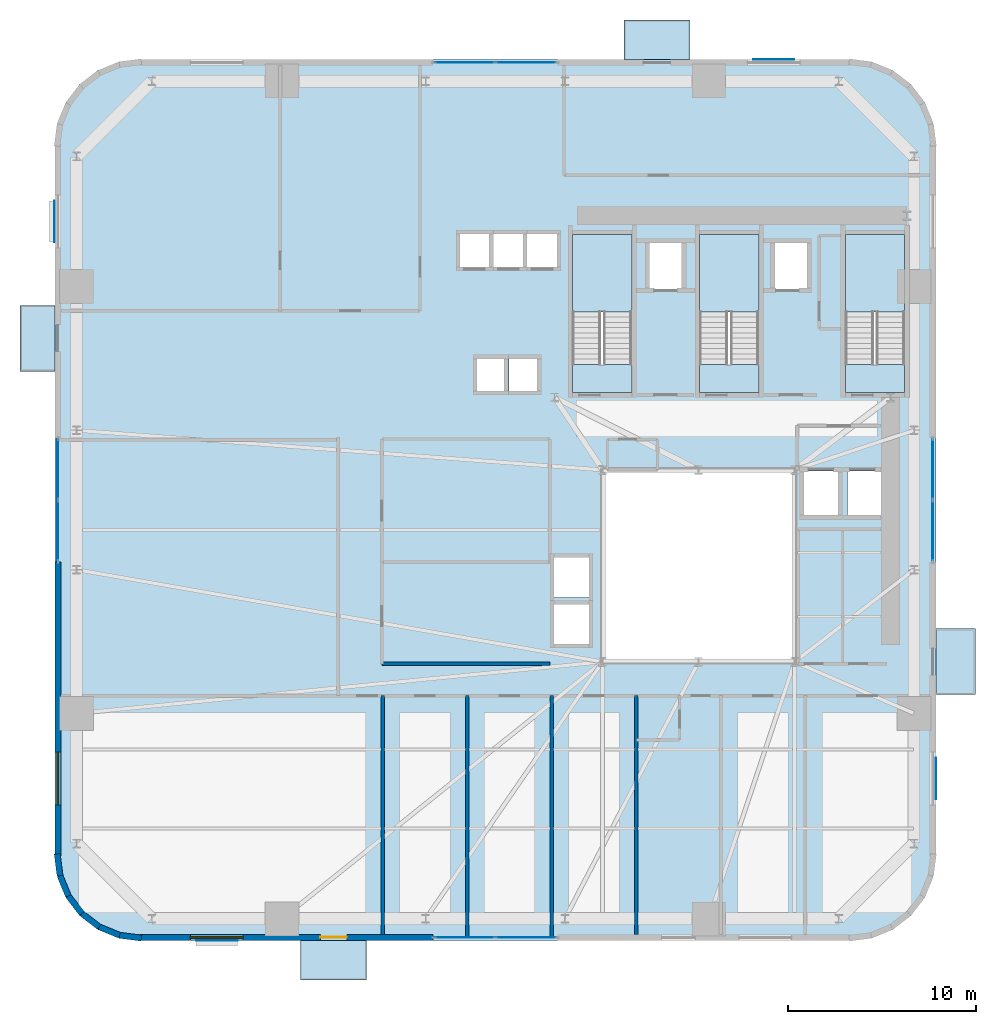
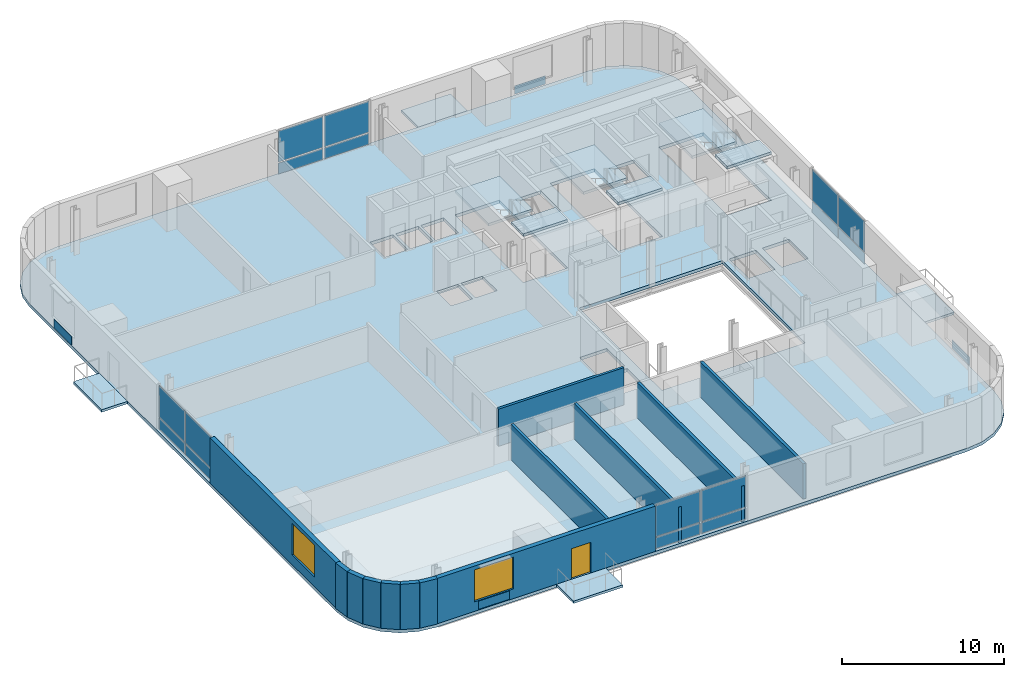
# One storey, part 5 of 13: 20 plates, 13 walls, 11 slabs, 2 windows, 1 door, 3 openings, 7 elements without a shape of their own.
"""IFC4 building model written with IfcOpenShell, lengths in metres."""

from ifc_helpers import new_model, si_unit, direction, frame, frame_2d, origin, origin_2d, place, context, subcontext, project, spatial, polyline, rectangle, outline, extrude, source, transform, mapped, material, layer, layer_set, type_object, element, fill, aggregate, save


model = new_model("IFC4")

# Units and contexts
model_context = context("Model", 3, precision=1e-05, world=origin(), true_north=direction((0.0, 1.0)))
body_context = subcontext(model_context, "Body", "Model", "MODEL_VIEW")
ifc_project = project(units=[si_unit("LENGTHUNIT", "METRE"), si_unit("AREAUNIT", "SQUARE_METRE"), si_unit("VOLUMEUNIT", "CUBIC_METRE"), si_unit("PLANEANGLEUNIT", "RADIAN"), si_unit("MASSUNIT", "GRAM", prefix="KILO")], contexts=[model_context])

# Site, building, storey
site_placement = place(None, origin())
site = spatial("IfcSite", under=ifc_project, at=site_placement, CompositionType="ELEMENT")
building_placement = place(site_placement, origin())
building = spatial("IfcBuilding", under=site, at=building_placement, Name="Vardaveli Station Tower", CompositionType="ELEMENT")
storey_placement = place(building_placement, frame((0.0, 0.0, 86.0)))
storey = spatial("IfcBuildingStorey", under=building, at=storey_placement, Name="L22", CompositionType="ELEMENT", Elevation=86.0)

# Stair, slabs
ifc_material_1 = material(Name="Concrete C40/50", Category="concrete")
stair_type = type_object("IfcStairType", Name="STR-CORE-1500", PredefinedType="HALF_TURN_STAIR", material=ifc_material_1)
stair_1_placement = place(storey_placement, origin())
stair_1 = element("IfcStair", 1, at=stair_1_placement, inside=storey, type_object=stair_type, Name="L22 ST-1", PredefinedType="HALF_TURN_STAIR")
ifc_layer_1 = layer(ifc_material_1, 0.199951171875, Name="Concrete C40/50")
ifc_layer_set_1 = layer_set([ifc_layer_1], Name="Concrete C40/50")
slab_type_1 = type_object("IfcSlabType", Name="SLB-LAND-200", PredefinedType="LANDING", material=ifc_layer_set_1)
slab_1_placement = place(storey_placement, frame((0.0, 0.0, 1.625)))
slab_1 = element("IfcSlab", 2, at=slab_1_placement, type_object=slab_type_1, Name="ST-1 landing 1", PredefinedType="LANDING", context=body_context, shape_type="SweptSolid", body=[
    extrude(outline(polyline([(32.75, 35.199951171875), (32.75, 39.300048828125), (29.60009765625, 39.300048828125), (29.60009765625, 35.199951171875), (32.75, 35.199951171875)])), origin(), (0.0, 0.0, 1.0), 0.199951171875),
])
slab_2_placement = place(storey_placement, frame((0.0, 0.0, 3.449951171875)))
slab_2 = element("IfcSlab", 3, at=slab_2_placement, type_object=slab_type_1, Name="ST-1 landing 2", PredefinedType="LANDING", context=body_context, shape_type="SweptSolid", body=[
    extrude(outline(polyline([(32.75, 30.89990234375), (32.75, 32.39990234375), (29.60009765625, 32.39990234375), (29.60009765625, 30.89990234375), (32.75, 30.89990234375)])), origin(), (0.0, 0.0, 1.0), 0.199951171875),
])
aggregate(stair_1, [slab_1, slab_2])

stair_2_placement = place(storey_placement, origin())
stair_2 = element("IfcStair", 4, at=stair_2_placement, inside=storey, type_object=stair_type, Name="L22 ST-2", PredefinedType="HALF_TURN_STAIR")
slab_3_placement = place(storey_placement, frame((0.0, 0.0, 1.625)))
slab_3 = element("IfcSlab", 5, at=slab_3_placement, type_object=slab_type_1, Name="ST-2 landing 1", PredefinedType="LANDING", context=body_context, shape_type="SweptSolid", body=[
    extrude(outline(polyline([(39.5, 35.199951171875), (39.5, 39.300048828125), (36.35009765625, 39.300048828125), (36.35009765625, 35.199951171875), (39.5, 35.199951171875)])), origin(), (0.0, 0.0, 1.0), 0.199951171875),
])
slab_4_placement = place(storey_placement, frame((0.0, 0.0, 3.449951171875)))
slab_4 = element("IfcSlab", 6, at=slab_4_placement, type_object=slab_type_1, Name="ST-2 landing 2", PredefinedType="LANDING", context=body_context, shape_type="SweptSolid", body=[
    extrude(outline(polyline([(39.5, 30.89990234375), (39.5, 32.39990234375), (36.35009765625, 32.39990234375), (36.35009765625, 30.89990234375), (39.5, 30.89990234375)])), origin(), (0.0, 0.0, 1.0), 0.199951171875),
])
aggregate(stair_2, [slab_3, slab_4])

stair_3_placement = place(storey_placement, origin())
stair_3 = element("IfcStair", 7, at=stair_3_placement, inside=storey, type_object=stair_type, Name="L22 ST-3", PredefinedType="HALF_TURN_STAIR")
slab_5_placement = place(storey_placement, frame((0.0, 0.0, 1.625)))
slab_5 = element("IfcSlab", 8, at=slab_5_placement, type_object=slab_type_1, Name="ST-3 landing 1", PredefinedType="LANDING", context=body_context, shape_type="SweptSolid", body=[
    extrude(outline(polyline([(47.25, 35.199951171875), (47.25, 39.300048828125), (44.10009765625, 39.300048828125), (44.10009765625, 35.199951171875), (47.25, 35.199951171875)])), origin(), (0.0, 0.0, 1.0), 0.199951171875),
])
slab_6_placement = place(storey_placement, frame((0.0, 0.0, 3.449951171875)))
slab_6 = element("IfcSlab", 9, at=slab_6_placement, type_object=slab_type_1, Name="ST-3 landing 2", PredefinedType="LANDING", context=body_context, shape_type="SweptSolid", body=[
    extrude(outline(polyline([(47.25, 30.89990234375), (47.25, 32.39990234375), (44.10009765625, 32.39990234375), (44.10009765625, 30.89990234375), (47.25, 30.89990234375)])), origin(), (0.0, 0.0, 1.0), 0.199951171875),
])
aggregate(stair_3, [slab_5, slab_6])

# Slabs
ifc_material_2 = material(Name="Precast concrete C45/55", Category="concrete")
ifc_layer_2 = layer(ifc_material_2, 0.179931640625, Name="Precast concrete C45/55")
ifc_layer_set_2 = layer_set([ifc_layer_2], Name="Precast concrete C45/55")
slab_type_2 = type_object("IfcSlabType", Name="SLB-LOGGIA-180", PredefinedType="FLOOR", material=ifc_layer_set_2)
slab_7_placement = place(storey_placement, frame((0.0, 0.0, -0.179931640625)))
element("IfcSlab", 10, at=slab_7_placement, inside=storey, type_object=slab_type_2, Name="LOG-L22-S", PredefinedType="FLOOR", context=body_context, shape_type="SweptSolid", body=[
    extrude(outline(polyline([(15.160400390625, -0.300048828125), (18.660400390625, -0.300048828125), (18.660400390625, 1.800048828125), (15.160400390625, 1.800048828125), (15.160400390625, -0.300048828125)])), origin(), (0.0, 0.0, 1.0), 0.179931640625),
])
slab_8_placement = place(storey_placement, frame((0.0, 0.0, -0.179931640625)))
element("IfcSlab", 11, at=slab_8_placement, inside=storey, type_object=slab_type_2, Name="LOG-L22-N", PredefinedType="FLOOR", context=body_context, shape_type="SweptSolid", body=[
    extrude(outline(polyline([(32.339599609375, 48.60009765625), (35.839599609375, 48.60009765625), (35.839599609375, 50.699951171875), (32.339599609375, 50.699951171875), (32.339599609375, 48.60009765625)])), origin(), (0.0, 0.0, 1.0), 0.179931640625),
])
slab_9_placement = place(storey_placement, frame((0.0, 0.0, -0.179931640625)))
element("IfcSlab", 12, at=slab_9_placement, inside=storey, type_object=slab_type_2, Name="LOG-L22-W", PredefinedType="FLOOR", context=body_context, shape_type="SweptSolid", body=[
    extrude(outline(polyline([(0.25, 32.03955078125), (2.10009765625, 32.03955078125), (2.10009765625, 35.53955078125), (0.25, 35.53955078125), (0.25, 32.03955078125)])), origin(), (0.0, 0.0, 1.0), 0.179931640625),
])
slab_10_placement = place(storey_placement, frame((0.0, 0.0, -0.179931640625)))
element("IfcSlab", 13, at=slab_10_placement, inside=storey, type_object=slab_type_2, Name="LOG-L22-E", PredefinedType="FLOOR", context=body_context, shape_type="SweptSolid", body=[
    extrude(outline(polyline([(48.89990234375, 14.8603515625), (51.0, 14.8603515625), (51.0, 18.3603515625), (48.89990234375, 18.3603515625), (48.89990234375, 14.8603515625)])), origin(), (0.0, 0.0, 1.0), 0.179931640625),
])
ifc_layer_3 = layer(ifc_material_1, 0.239990234375, Name="Concrete C40/50")
ifc_layer_set_3 = layer_set([ifc_layer_3], Name="Concrete C40/50")
slab_type_3 = type_object("IfcSlabType", Name="SLB-TOW-240", PredefinedType="FLOOR", material=ifc_layer_set_3)
slab_11_placement = place(storey_placement, frame((0.0, 0.0, -0.239990234375)))
element("IfcSlab", 14, at=slab_11_placement, inside=storey, type_object=slab_type_3, Name="SLB-L22-MAIN", PredefinedType="FLOOR", context=body_context, shape_type="SweptSolid", body=[
    extrude(outline(polyline([(2.10009765625, 6.300048828125), (2.25341796875, 5.13525390625), (2.702880859375, 4.050048828125), (3.41796875, 3.117919921875), (4.35009765625, 2.40283203125), (5.435302734375, 1.953369140625), (6.60009765625, 1.800048828125), (44.39990234375, 1.800048828125), (45.564697265625, 1.953369140625), (46.64990234375, 2.40283203125), (47.58203125, 3.117919921875), (48.297119140625, 4.050048828125), (48.74658203125, 5.13525390625), (48.89990234375, 6.300048828125), (48.89990234375, 44.10009765625), (48.74658203125, 45.2646484375), (48.297119140625, 46.35009765625), (47.58203125, 47.281982421875), (46.64990234375, 47.9970703125), (45.564697265625, 48.44677734375), (44.39990234375, 48.60009765625), (6.60009765625, 48.60009765625), (5.435302734375, 48.44677734375), (4.35009765625, 47.9970703125), (3.41796875, 47.281982421875), (2.702880859375, 46.35009765625), (2.25341796875, 45.2646484375), (2.10009765625, 44.10009765625), (2.10009765625, 6.300048828125)]), holes=[polyline([(31.199951171875, 16.60009765625), (41.39990234375, 16.60009765625), (41.39990234375, 26.800048828125), (31.199951171875, 26.800048828125), (31.199951171875, 16.60009765625)]), polyline([(32.75, 30.89990234375), (32.75, 39.300048828125), (29.60009765625, 39.300048828125), (29.60009765625, 30.89990234375), (32.75, 30.89990234375)]), polyline([(39.5, 30.89990234375), (39.5, 39.300048828125), (36.35009765625, 39.300048828125), (36.35009765625, 30.89990234375), (39.5, 30.89990234375)]), polyline([(47.25, 30.89990234375), (47.25, 39.300048828125), (44.10009765625, 39.300048828125), (44.10009765625, 30.89990234375), (47.25, 30.89990234375)]), polyline([(23.5849609375, 37.534912109375), (25.215087890625, 37.534912109375), (25.215087890625, 39.364990234375), (23.5849609375, 39.364990234375), (23.5849609375, 37.534912109375)]), polyline([(25.385009765625, 37.534912109375), (27.014892578125, 37.534912109375), (27.014892578125, 39.364990234375), (25.385009765625, 39.364990234375), (25.385009765625, 37.534912109375)]), polyline([(27.18505859375, 37.534912109375), (28.81494140625, 37.534912109375), (28.81494140625, 39.364990234375), (27.18505859375, 39.364990234375), (27.18505859375, 37.534912109375)]), polyline([(33.659912109375, 36.409912109375), (35.43994140625, 36.409912109375), (35.43994140625, 38.889892578125), (33.659912109375, 38.889892578125), (33.659912109375, 36.409912109375)]), polyline([(40.31005859375, 36.409912109375), (42.090087890625, 36.409912109375), (42.090087890625, 38.889892578125), (40.31005859375, 38.889892578125), (40.31005859375, 36.409912109375)]), polyline([(24.485107421875, 30.9599609375), (26.014892578125, 30.9599609375), (26.014892578125, 32.739990234375), (24.485107421875, 32.739990234375), (24.485107421875, 30.9599609375)]), polyline([(26.235107421875, 30.9599609375), (27.764892578125, 30.9599609375), (27.764892578125, 32.739990234375), (26.235107421875, 32.739990234375), (26.235107421875, 30.9599609375)]), polyline([(28.5849609375, 17.510009765625), (30.514892578125, 17.510009765625), (30.514892578125, 19.68994140625), (28.5849609375, 19.68994140625), (28.5849609375, 17.510009765625)]), polyline([(28.5849609375, 20.010009765625), (30.514892578125, 20.010009765625), (30.514892578125, 22.18994140625), (28.5849609375, 22.18994140625), (28.5849609375, 20.010009765625)]), polyline([(41.860107421875, 24.360107421875), (43.739990234375, 24.360107421875), (43.739990234375, 26.739990234375), (41.860107421875, 26.739990234375), (41.860107421875, 24.360107421875)]), polyline([(44.2099609375, 24.360107421875), (46.090087890625, 24.360107421875), (46.090087890625, 26.739990234375), (44.2099609375, 26.739990234375), (44.2099609375, 24.360107421875)])]), origin(), (0.0, 0.0, 1.0), 0.239990234375),
])

# Curtain wall, plates
ifc_material_3 = material(Name="Travertine stone and solar-control glass", Category="masonry")
curtain_wall_type = type_object("IfcCurtainWallType", Name="CW-SYS-2", PredefinedType="NOTDEFINED", material=ifc_material_3)
curtain_wall_1_placement = place(storey_placement, origin())
curtain_wall_1 = element("IfcCurtainWall", 15, at=curtain_wall_1_placement, inside=storey, type_object=curtain_wall_type, Name="CW-L22-S", PredefinedType="NOTDEFINED")
ifc_material_4 = material(Name="Double-glazed low-E solar-control glass", Category="glass")
ifc_layer_4 = layer(ifc_material_4, 0.035888671875, Name="Double-glazed low-E solar-control glass")
ifc_layer_set_4 = layer_set([ifc_layer_4], Name="Double-glazed low-E solar-control glass")
plate_type_1 = type_object("IfcPlateType", Name="CW-SYS-2-PAN", PredefinedType="CURTAIN_PANEL", material=ifc_layer_set_4)
shared_shape_1 = source(origin(), body_context, "Body", "SweptSolid", [
    extrude(rectangle(XDim=3.172607421875, YDim=0.035888671875, at=origin_2d()), origin(), (0.0, 0.0, 1.0), 0.822509765625),
])
plate_1_placement = place(storey_placement, frame((23.871337890625, 1.9599609375, 0.0849609375), z_axis=(0.0, 0.0, 1.0), x_axis=(1.0, 0.0, 0.0)))
plate_1 = element("IfcPlate", 16, at=plate_1_placement, type_object=plate_type_1, Name="CW-2 panel 1.1", PredefinedType="CURTAIN_PANEL", context=body_context, shape_type="MappedRepresentation", body=[
    mapped(shared_shape_1, transform((0.0, 0.0, 0.0), scale=1.0)),
])
plate_2_placement = place(storey_placement, frame((27.128662109375, 1.9599609375, 0.0849609375), z_axis=(0.0, 0.0, 1.0), x_axis=(1.0, 0.0, 0.0)))
plate_2 = element("IfcPlate", 17, at=plate_2_placement, type_object=plate_type_1, Name="CW-2 panel 2.1", PredefinedType="CURTAIN_PANEL", context=body_context, shape_type="MappedRepresentation", body=[
    mapped(shared_shape_1, transform((0.0, 0.0, 0.0), scale=1.0)),
])

curtain_wall_2_placement = place(storey_placement, origin())
curtain_wall_2 = element("IfcCurtainWall", 18, at=curtain_wall_2_placement, inside=storey, type_object=curtain_wall_type, Name="CW-L22-N", PredefinedType="NOTDEFINED")
plate_3_placement = place(storey_placement, frame((27.128662109375, 48.43994140625, 0.0849609375), z_axis=(0.0, 0.0, 1.0), x_axis=(-1.0, 0.0, 0.0)))
plate_3 = element("IfcPlate", 19, at=plate_3_placement, type_object=plate_type_1, Name="CW-2 panel 1.1", PredefinedType="CURTAIN_PANEL", context=body_context, shape_type="MappedRepresentation", body=[
    mapped(shared_shape_1, transform((0.0, 0.0, 0.0), scale=1.0)),
])
plate_4_placement = place(storey_placement, frame((23.871337890625, 48.43994140625, 0.0849609375), z_axis=(0.0, 0.0, 1.0), x_axis=(-1.0, 0.0, 0.0)))
plate_4 = element("IfcPlate", 20, at=plate_4_placement, type_object=plate_type_1, Name="CW-2 panel 2.1", PredefinedType="CURTAIN_PANEL", context=body_context, shape_type="MappedRepresentation", body=[
    mapped(shared_shape_1, transform((0.0, 0.0, 0.0), scale=1.0)),
])

curtain_wall_3_placement = place(storey_placement, origin())
curtain_wall_3 = element("IfcCurtainWall", 21, at=curtain_wall_3_placement, inside=storey, type_object=curtain_wall_type, Name="CW-L22-W", PredefinedType="NOTDEFINED")
plate_5_placement = place(storey_placement, frame((2.260009765625, 26.828857421875, 0.0849609375), z_axis=(0.0, 0.0, 1.0), x_axis=(0.0, -1.0, 0.0)))
plate_5 = element("IfcPlate", 22, at=plate_5_placement, type_object=plate_type_1, Name="CW-2 panel 1.1", PredefinedType="CURTAIN_PANEL", context=body_context, shape_type="MappedRepresentation", body=[
    mapped(shared_shape_1, transform((0.0, 0.0, 0.0), scale=1.0)),
])
plate_6_placement = place(storey_placement, frame((2.260009765625, 23.5712890625, 0.0849609375), z_axis=(0.0, 0.0, 1.0), x_axis=(0.0, -1.0, 0.0)))
plate_6 = element("IfcPlate", 23, at=plate_6_placement, type_object=plate_type_1, Name="CW-2 panel 2.1", PredefinedType="CURTAIN_PANEL", context=body_context, shape_type="MappedRepresentation", body=[
    mapped(shared_shape_1, transform((0.0, 0.0, 0.0), scale=1.0)),
])

curtain_wall_4_placement = place(storey_placement, origin())
curtain_wall_4 = element("IfcCurtainWall", 24, at=curtain_wall_4_placement, inside=storey, type_object=curtain_wall_type, Name="CW-L22-E", PredefinedType="NOTDEFINED")
plate_7_placement = place(storey_placement, frame((48.739990234375, 23.5712890625, 0.0849609375), z_axis=(0.0, 0.0, 1.0), x_axis=(0.0, 1.0, 0.0)))
plate_7 = element("IfcPlate", 25, at=plate_7_placement, type_object=plate_type_1, Name="CW-2 panel 1.1", PredefinedType="CURTAIN_PANEL", context=body_context, shape_type="MappedRepresentation", body=[
    mapped(shared_shape_1, transform((0.0, 0.0, 0.0), scale=1.0)),
])
plate_8_placement = place(storey_placement, frame((48.739990234375, 26.828857421875, 0.0849609375), z_axis=(0.0, 0.0, 1.0), x_axis=(0.0, 1.0, 0.0)))
plate_8 = element("IfcPlate", 26, at=plate_8_placement, type_object=plate_type_1, Name="CW-2 panel 2.1", PredefinedType="CURTAIN_PANEL", context=body_context, shape_type="MappedRepresentation", body=[
    mapped(shared_shape_1, transform((0.0, 0.0, 0.0), scale=1.0)),
])

# Plate
shared_shape_2 = source(origin(), body_context, "Body", "SweptSolid", [
    extrude(rectangle(XDim=3.172607421875, YDim=0.035888671875, at=origin_2d()), origin(), (0.0, 0.0, 1.0), 2.33251953125),
])
plate_9_placement = place(storey_placement, frame((23.871337890625, 1.9599609375, 0.992431640625), z_axis=(0.0, 0.0, 1.0), x_axis=(1.0, 0.0, 0.0)))
plate_9 = element("IfcPlate", 27, at=plate_9_placement, type_object=plate_type_1, Name="CW-2 panel 1.2", PredefinedType="CURTAIN_PANEL", context=body_context, shape_type="MappedRepresentation", body=[
    mapped(shared_shape_2, transform((0.0, 0.0, 0.0), scale=1.0)),
])

plate_10_placement = place(storey_placement, frame((27.128662109375, 1.9599609375, 0.992431640625), z_axis=(0.0, 0.0, 1.0), x_axis=(1.0, 0.0, 0.0)))
plate_10 = element("IfcPlate", 28, at=plate_10_placement, type_object=plate_type_1, Name="CW-2 panel 2.2", PredefinedType="CURTAIN_PANEL", context=body_context, shape_type="MappedRepresentation", body=[
    mapped(shared_shape_2, transform((0.0, 0.0, 0.0), scale=1.0)),
])

aggregate(curtain_wall_1, [plate_1, plate_9, plate_2, plate_10])

plate_11_placement = place(storey_placement, frame((27.128662109375, 48.43994140625, 0.992431640625), z_axis=(0.0, 0.0, 1.0), x_axis=(-1.0, 0.0, 0.0)))
plate_11 = element("IfcPlate", 29, at=plate_11_placement, type_object=plate_type_1, Name="CW-2 panel 1.2", PredefinedType="CURTAIN_PANEL", context=body_context, shape_type="MappedRepresentation", body=[
    mapped(shared_shape_2, transform((0.0, 0.0, 0.0), scale=1.0)),
])

plate_12_placement = place(storey_placement, frame((23.871337890625, 48.43994140625, 0.992431640625), z_axis=(0.0, 0.0, 1.0), x_axis=(-1.0, 0.0, 0.0)))
plate_12 = element("IfcPlate", 30, at=plate_12_placement, type_object=plate_type_1, Name="CW-2 panel 2.2", PredefinedType="CURTAIN_PANEL", context=body_context, shape_type="MappedRepresentation", body=[
    mapped(shared_shape_2, transform((0.0, 0.0, 0.0), scale=1.0)),
])

aggregate(curtain_wall_2, [plate_3, plate_11, plate_4, plate_12])

plate_13_placement = place(storey_placement, frame((2.260009765625, 26.828857421875, 0.992431640625), z_axis=(0.0, 0.0, 1.0), x_axis=(0.0, -1.0, 0.0)))
plate_13 = element("IfcPlate", 31, at=plate_13_placement, type_object=plate_type_1, Name="CW-2 panel 1.2", PredefinedType="CURTAIN_PANEL", context=body_context, shape_type="MappedRepresentation", body=[
    mapped(shared_shape_2, transform((0.0, 0.0, 0.0), scale=1.0)),
])

plate_14_placement = place(storey_placement, frame((2.260009765625, 23.5712890625, 0.992431640625), z_axis=(0.0, 0.0, 1.0), x_axis=(0.0, -1.0, 0.0)))
plate_14 = element("IfcPlate", 32, at=plate_14_placement, type_object=plate_type_1, Name="CW-2 panel 2.2", PredefinedType="CURTAIN_PANEL", context=body_context, shape_type="MappedRepresentation", body=[
    mapped(shared_shape_2, transform((0.0, 0.0, 0.0), scale=1.0)),
])

aggregate(curtain_wall_3, [plate_5, plate_13, plate_6, plate_14])

plate_15_placement = place(storey_placement, frame((48.739990234375, 23.5712890625, 0.992431640625), z_axis=(0.0, 0.0, 1.0), x_axis=(0.0, 1.0, 0.0)))
plate_15 = element("IfcPlate", 33, at=plate_15_placement, type_object=plate_type_1, Name="CW-2 panel 1.2", PredefinedType="CURTAIN_PANEL", context=body_context, shape_type="MappedRepresentation", body=[
    mapped(shared_shape_2, transform((0.0, 0.0, 0.0), scale=1.0)),
])

plate_16_placement = place(storey_placement, frame((48.739990234375, 26.828857421875, 0.992431640625), z_axis=(0.0, 0.0, 1.0), x_axis=(0.0, 1.0, 0.0)))
plate_16 = element("IfcPlate", 34, at=plate_16_placement, type_object=plate_type_1, Name="CW-2 panel 2.2", PredefinedType="CURTAIN_PANEL", context=body_context, shape_type="MappedRepresentation", body=[
    mapped(shared_shape_2, transform((0.0, 0.0, 0.0), scale=1.0)),
])

aggregate(curtain_wall_4, [plate_7, plate_15, plate_8, plate_16])

# Plates
ifc_material_5 = material(Name="Honed Caucasian travertine stone", Category="masonry")
ifc_layer_5 = layer(ifc_material_5, 0.034912109375, Name="Honed Caucasian travertine stone")
ifc_layer_set_5 = layer_set([ifc_layer_5], Name="Honed Caucasian travertine stone")
plate_type_2 = type_object("IfcPlateType", Name="PLT-TRAV-35", PredefinedType="SHEET", material=ifc_layer_set_5)
shared_shape_3 = source(origin(), body_context, "Body", "SweptSolid", [
    extrude(rectangle(XDim=2.199951171875, YDim=0.034912109375, at=origin_2d()), origin(), (0.0, 0.0, 1.0), 0.6201171875),
])
for number, where, z_axis, x_axis, name in (
    (35, (10.705078125, 1.79052734375, 0.06982421875), (0.0, 0.0, 1.0), (1.0, 0.0, 0.0), "PLT-TR-L22-S"),
    (36, (40.294921875, 48.609619140625, 0.06982421875), (0.0, 0.0, 1.0), (1.0, 0.0, 0.0), "PLT-TR-L22-N"),
    (37, (2.090576171875, 39.9951171875, 0.06982421875), (0.0, 0.0, 1.0), (0.0, 1.0, 0.0), "PLT-TR-L22-W"),
    (38, (48.909423828125, 10.405029296875, 0.06982421875), (0.0, 0.0, 1.0), (0.0, 1.0, 0.0), "PLT-TR-L22-E"),
):
    element("IfcPlate", number, at=place(storey_placement, frame(where, z_axis=z_axis, x_axis=x_axis)), inside=storey, type_object=plate_type_2, Name=name, PredefinedType="SHEET", context=body_context, shape_type="MappedRepresentation", body=[
        mapped(shared_shape_3, transform((0.0, 0.0, 0.0), scale=1.0)),
    ])

# Wall, openings, door, window
ifc_layer_6 = layer(ifc_material_2, 0.320068359375, Name="Precast concrete C45/55")
ifc_layer_set_6 = layer_set([ifc_layer_6], Name="Precast concrete C45/55")
wall_type_1 = type_object("IfcWallType", Name="WAL-EXT-STONE-320", PredefinedType="SOLIDWALL", material=ifc_layer_set_6)
shared_shape_4 = source(origin(), body_context, "Body", "SweptSolid", [
    extrude(rectangle(XDim=15.599853515625, YDim=0.320068359375, at=frame_2d((7.7998046875, 0.0))), origin(), (0.0, 0.0, 1.0), 3.409912109375),
])
wall_1_placement = place(storey_placement, frame((6.60009765625, 1.9599609375, 0.0), z_axis=(0.0, 0.0, 1.0), x_axis=(1.0, 0.0, 0.0)))
wall_1 = element("IfcWall", 39, at=wall_1_placement, inside=storey, type_object=wall_type_1, Name="EW-L22-S1", PredefinedType="SOLIDWALL", context=body_context, shape_type="MappedRepresentation", body=[
    mapped(shared_shape_4, transform((0.0, 0.0, 0.0), scale=1.0)),
])
shared_shape_5 = source(origin(), body_context, "Body", "SweptSolid", [
    extrude(rectangle(XDim=1.39990234375, YDim=2.300048828125, at=frame_2d((0.699951171875, 1.14990234375))), frame((0.0, 0.169921875, 0.0), z_axis=(0.0, -1.0, 0.0), x_axis=(1.0, 0.0, 0.0)), (0.0, 0.0, 1.0), 0.340087890625),
])
opening_1_placement = place(wall_1_placement, frame((9.6103515625, 0.0, 0.0)))
opening_1 = element("IfcOpeningElement", 40, at=opening_1_placement, cuts=wall_1, Name="Opening D-09", PredefinedType="OPENING", context=body_context, shape_type="MappedRepresentation", body=[
    mapped(shared_shape_5, transform((0.0, 0.0, 0.0), scale=1.0)),
])
shared_shape_6 = source(origin(), body_context, "Body", "SweptSolid", [
    extrude(rectangle(XDim=2.800048828125, YDim=2.39990234375, at=frame_2d((1.39990234375, 1.199951171875))), frame((0.0, 0.169921875, 0.0), z_axis=(0.0, -1.0, 0.0), x_axis=(1.0, 0.0, 0.0)), (0.0, 0.0, 1.0), 0.340087890625),
])
opening_2_placement = place(wall_1_placement, frame((2.705078125, 0.0, 0.719970703125)))
opening_2 = element("IfcOpeningElement", 41, at=opening_2_placement, cuts=wall_1, Name="Opening W-04", PredefinedType="OPENING", context=body_context, shape_type="MappedRepresentation", body=[
    mapped(shared_shape_6, transform((0.0, 0.0, 0.0), scale=1.0)),
])
ifc_material_6 = material(Name="Thermally broken aluminium glass", Category="aluminium")
door_type = type_object("IfcDoorType", Name="DR-LOG-1400x2300", OperationType="DOUBLE_DOOR_SLIDING", PredefinedType="DOOR", material=ifc_material_6)
shared_shape_7 = source(origin(), body_context, "Body", "SweptSolid", [
    extrude(rectangle(XDim=1.39990234375, YDim=2.300048828125, at=frame_2d((0.699951171875, 1.14990234375))), frame((0.0, 0.02490234375, 0.0), z_axis=(0.0, -1.0, 0.0), x_axis=(1.0, 0.0, 0.0)), (0.0, 0.0, 1.0), 0.050048828125),
])
door_placement = place(opening_1_placement, frame((1.39990234375, 0.0, 0.0), z_axis=(0.0, 0.0, 1.0), x_axis=(-1.0, 0.0, 0.0)))
door = element("IfcDoor", 42, at=door_placement, inside=storey, type_object=door_type, Name="DLG-L22-S", OperationType="DOUBLE_DOOR_SLIDING", OverallHeight=2.300048828125, OverallWidth=1.39990234375, PredefinedType="DOOR", context=body_context, shape_type="MappedRepresentation", body=[
    mapped(shared_shape_7, transform((0.0, 0.0, 0.0), scale=1.0)),
])
fill(opening_1, door)
ifc_material_7 = material(Name="Low-E solar-control glass", Category="glass")
window_type = type_object("IfcWindowType", Name="WIN-SUITE-2800x2400", PartitioningType="SINGLE_PANEL", PredefinedType="WINDOW", material=ifc_material_7)
shared_shape_8 = source(origin(), body_context, "Body", "SweptSolid", [
    extrude(rectangle(XDim=2.800048828125, YDim=2.39990234375, at=frame_2d((1.39990234375, 1.199951171875))), frame((0.0, 0.030029296875, 0.0), z_axis=(0.0, -1.0, 0.0), x_axis=(1.0, 0.0, 0.0)), (0.0, 0.0, 1.0), 0.06005859375),
])
window_1_placement = place(opening_2_placement, origin())
window_1 = element("IfcWindow", 43, at=window_1_placement, inside=storey, type_object=window_type, Name="WN-L22-S1", OverallHeight=2.39990234375, OverallWidth=2.800048828125, PartitioningType="SINGLE_PANEL", PredefinedType="WINDOW", context=body_context, shape_type="MappedRepresentation", body=[
    mapped(shared_shape_8, transform((0.0, 0.0, 0.0), scale=1.0)),
])
fill(opening_2, window_1)

# Wall, opening, window
wall_2_placement = place(storey_placement, frame((2.260009765625, 21.89990234375, 0.0), z_axis=(0.0, 0.0, 1.0), x_axis=(0.0, -1.0, 0.0)))
wall_2 = element("IfcWall", 44, at=wall_2_placement, inside=storey, type_object=wall_type_1, Name="EW-L22-W2", PredefinedType="SOLIDWALL", context=body_context, shape_type="MappedRepresentation", body=[
    mapped(shared_shape_4, transform((0.0, 0.0, 0.0), scale=1.0)),
])
opening_3_placement = place(wall_2_placement, frame((10.094970703125, 0.0, 0.719970703125)))
opening_3 = element("IfcOpeningElement", 45, at=opening_3_placement, cuts=wall_2, Name="Opening W-04", PredefinedType="OPENING", context=body_context, shape_type="MappedRepresentation", body=[
    mapped(shared_shape_6, transform((0.0, 0.0, 0.0), scale=1.0)),
])
window_2_placement = place(opening_3_placement, origin())
window_2 = element("IfcWindow", 46, at=window_2_placement, inside=storey, type_object=window_type, Name="WN-L22-W2", OverallHeight=2.39990234375, OverallWidth=2.800048828125, PartitioningType="SINGLE_PANEL", PredefinedType="WINDOW", context=body_context, shape_type="MappedRepresentation", body=[
    mapped(shared_shape_8, transform((0.0, 0.0, 0.0), scale=1.0)),
])
fill(opening_3, window_2)

# Walls
shared_shape_9 = source(origin(), body_context, "Body", "SweptSolid", [
    extrude(rectangle(XDim=1.170654296875, YDim=0.320068359375, at=frame_2d((0.58544921875, 0.0))), origin(), (0.0, 0.0, 1.0), 3.409912109375),
])
wall_3_placement = place(storey_placement, frame((2.224365234375, 6.400634765625, 0.0), z_axis=(0.0, 0.0, 1.0), x_axis=(0.128269133229, -0.991739395941, 0.0)))
element("IfcWall", 47, at=wall_3_placement, inside=storey, type_object=wall_type_1, Name="EW-L22-CR1-1", PredefinedType="SOLIDWALL", context=body_context, shape_type="MappedRepresentation", body=[
    mapped(shared_shape_9, transform((0.0, 0.0, 0.0), scale=1.0)),
])
shared_shape_10 = source(origin(), body_context, "Body", "SweptSolid", [
    extrude(rectangle(XDim=1.1689453125, YDim=0.320068359375, at=frame_2d((0.58447265625, 0.0))), origin(), (0.0, 0.0, 1.0), 3.409912109375),
])
for number, where, z_axis, x_axis, name in (
    (48, (2.37451171875, 5.23974609375, 0.0), (0.0, 0.0, 1.0), (0.381127904695, -0.924522320046, 0.0), "EW-L22-CR1-2"),
    (49, (2.820068359375, 4.158935546875, 0.0), (0.0, 0.0, 1.0), (0.608387696831, -0.793639975269, 0.0), "EW-L22-CR1-3"),
):
    element("IfcWall", number, at=place(storey_placement, frame(where, z_axis=z_axis, x_axis=x_axis)), inside=storey, type_object=wall_type_1, Name=name, PredefinedType="SOLIDWALL", context=body_context, shape_type="MappedRepresentation", body=[
        mapped(shared_shape_10, transform((0.0, 0.0, 0.0), scale=1.0)),
    ])
shared_shape_11 = source(origin(), body_context, "Body", "SweptSolid", [
    extrude(rectangle(XDim=1.168701171875, YDim=0.320068359375, at=frame_2d((0.58447265625, 0.0))), origin(), (0.0, 0.0, 1.0), 3.409912109375),
])
wall_4_placement = place(storey_placement, frame((3.53125, 3.231201171875, 0.0), z_axis=(0.0, 0.0, 1.0), x_axis=(0.793663520347, -0.608356981114, 0.0)))
element("IfcWall", 50, at=wall_4_placement, inside=storey, type_object=wall_type_1, Name="EW-L22-CR1-4", PredefinedType="SOLIDWALL", context=body_context, shape_type="MappedRepresentation", body=[
    mapped(shared_shape_11, transform((0.0, 0.0, 0.0), scale=1.0)),
])
shared_shape_12 = source(origin(), body_context, "Body", "SweptSolid", [
    extrude(rectangle(XDim=1.16943359375, YDim=0.320068359375, at=frame_2d((0.584716796875, 0.0))), origin(), (0.0, 0.0, 1.0), 3.409912109375),
])
wall_5_placement = place(storey_placement, frame((4.458740234375, 2.520263671875, 0.0), z_axis=(0.0, 0.0, 1.0), x_axis=(0.924479075121, -0.381232789334, 0.0)))
element("IfcWall", 51, at=wall_5_placement, inside=storey, type_object=wall_type_1, Name="EW-L22-CR1-5", PredefinedType="SOLIDWALL", context=body_context, shape_type="MappedRepresentation", body=[
    mapped(shared_shape_12, transform((0.0, 0.0, 0.0), scale=1.0)),
])
shared_shape_13 = source(origin(), body_context, "Body", "SweptSolid", [
    extrude(rectangle(XDim=1.170166015625, YDim=0.320068359375, at=frame_2d((0.5849609375, 0.0))), origin(), (0.0, 0.0, 1.0), 3.409912109375),
])
wall_6_placement = place(storey_placement, frame((5.539794921875, 2.074462890625, 0.0), z_axis=(0.0, 0.0, 1.0), x_axis=(0.991762485493, -0.128090485085, 0.0)))
element("IfcWall", 52, at=wall_6_placement, inside=storey, type_object=wall_type_1, Name="EW-L22-CR1-6", PredefinedType="SOLIDWALL", context=body_context, shape_type="MappedRepresentation", body=[
    mapped(shared_shape_13, transform((0.0, 0.0, 0.0), scale=1.0)),
])
ifc_material_8 = material(Name="Fire-rated gypsum stud partition")
ifc_layer_7 = layer(ifc_material_8, 0.179931640625, Name="Fire-rated gypsum stud partition")
ifc_layer_set_7 = layer_set([ifc_layer_7], Name="Fire-rated gypsum stud partition")
wall_type_2 = type_object("IfcWallType", Name="WAL-CORR-180", PredefinedType="PARTITIONING", material=ifc_layer_set_7)
shared_shape_14 = source(origin(), body_context, "Body", "SweptSolid", [
    extrude(rectangle(XDim=8.929931640625, YDim=0.179931640625, at=frame_2d((4.46484375, 0.0))), origin(), (0.0, 0.0, 1.0), 2.802001953125),
])
wall_7_placement = place(storey_placement, frame((19.469970703125, 16.5, 0.0), z_axis=(0.0, 0.0, 1.0), x_axis=(1.0, 0.0, 0.0)))
element("IfcWall", 53, at=wall_7_placement, inside=storey, type_object=wall_type_2, Name="W-L22-ATW1-S", PredefinedType="PARTITIONING", context=body_context, shape_type="MappedRepresentation", body=[
    mapped(shared_shape_14, transform((0.0, 0.0, 0.0), scale=1.0)),
])
ifc_material_9 = material(Name="Acoustic twin-stud gypsum partition")
ifc_layer_8 = layer(ifc_material_9, 0.199951171875, Name="Acoustic twin-stud gypsum partition")
ifc_layer_set_8 = layer_set([ifc_layer_8], Name="Acoustic twin-stud gypsum partition")
wall_type_3 = type_object("IfcWallType", Name="WAL-PARTY-200", PredefinedType="PARTITIONING", material=ifc_layer_set_8)
shared_shape_15 = source(origin(), body_context, "Body", "SweptSolid", [
    extrude(rectangle(XDim=12.68798828125, YDim=0.199951171875, at=frame_2d((6.343994140625, 0.0))), origin(), (0.0, 0.0, 1.0), 2.652099609375),
])
for number, where, z_axis, x_axis, name in (
    (54, (19.52001953125, 2.1220703125, 0.0), (0.0, 0.0, 1.0), (0.0, 1.0, 0.0), "W-L22-PS1"),
    (55, (32.987060546875, 2.1220703125, 0.0), (0.0, 0.0, 1.0), (0.0, 1.0, 0.0), "W-L22-PS4"),
):
    element("IfcWall", number, at=place(storey_placement, frame(where, z_axis=z_axis, x_axis=x_axis)), inside=storey, type_object=wall_type_3, Name=name, PredefinedType="PARTITIONING", context=body_context, shape_type="MappedRepresentation", body=[
        mapped(shared_shape_15, transform((0.0, 0.0, 0.0), scale=1.0)),
    ])
shared_shape_16 = source(origin(), body_context, "Body", "SweptSolid", [
    extrude(rectangle(XDim=12.880126953125, YDim=0.199951171875, at=frame_2d((6.43994140625, 0.0))), origin(), (0.0, 0.0, 1.0), 2.652099609375),
])
for number, where, z_axis, x_axis, name in (
    (56, (24.009033203125, 1.929931640625, 0.0), (0.0, 0.0, 1.0), (0.0, 1.0, 0.0), "W-L22-PS2"),
    (57, (28.498046875, 1.929931640625, 0.0), (0.0, 0.0, 1.0), (0.0, 1.0, 0.0), "W-L22-PS3"),
):
    element("IfcWall", number, at=place(storey_placement, frame(where, z_axis=z_axis, x_axis=x_axis)), inside=storey, type_object=wall_type_3, Name=name, PredefinedType="PARTITIONING", context=body_context, shape_type="MappedRepresentation", body=[
        mapped(shared_shape_16, transform((0.0, 0.0, 0.0), scale=1.0)),
    ])

save(model, "model.ifc")
